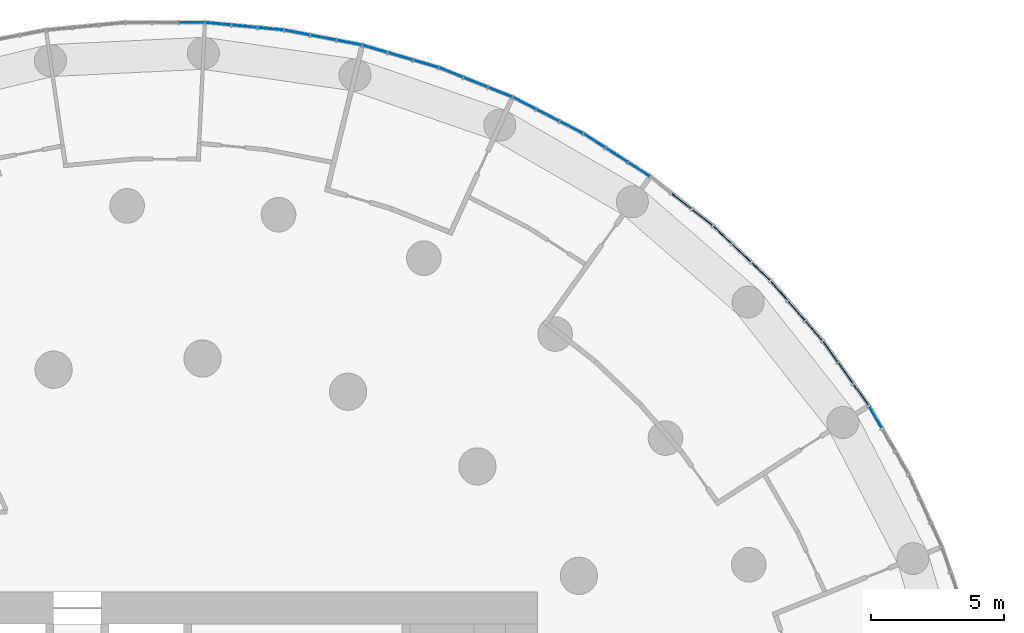
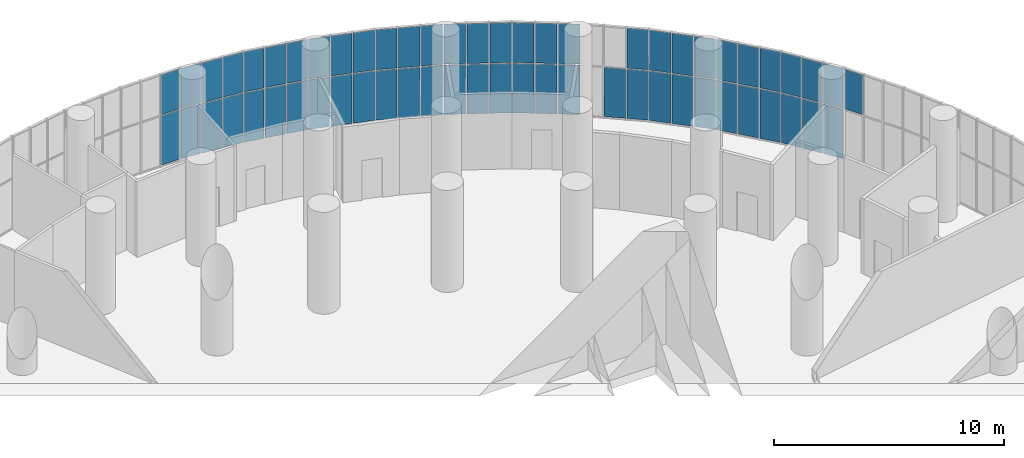
# One storey, part 19 of 27: 60 plates, 12 elements without a shape of their own.
"""IFC4 building model written with IfcOpenShell, lengths in metres."""

from ifc_helpers import new_model, si_unit, direction, frame, origin, origin_2d, place, context, subcontext, project, spatial, rectangle, extrude, material, layer, layer_set, type_object, element, aggregate, save


model = new_model("IFC4")

# Units and contexts
model_context = context("Model", 3, precision=1e-05, world=origin(), true_north=direction((0.0, 1.0)))
body_context = subcontext(model_context, "Body", "Model", "MODEL_VIEW")
ifc_project = project(units=[si_unit("LENGTHUNIT", "METRE"), si_unit("AREAUNIT", "SQUARE_METRE"), si_unit("VOLUMEUNIT", "CUBIC_METRE"), si_unit("PLANEANGLEUNIT", "RADIAN"), si_unit("MASSUNIT", "GRAM", prefix="KILO")], contexts=[model_context])

# Site, building, storey
site_placement = place(None, origin())
site = spatial("IfcSite", under=ifc_project, at=site_placement, CompositionType="ELEMENT")
building_placement = place(site_placement, origin())
building = spatial("IfcBuilding", under=site, at=building_placement, Name="Tracery Tower", CompositionType="ELEMENT")
storey_placement = place(building_placement, frame((0.0, 0.0, 114.60009765625)))
storey = spatial("IfcBuildingStorey", under=building, at=storey_placement, Name="L29", CompositionType="ELEMENT", Elevation=114.60009765625)

# Curtain wall, plate
ifc_material_1 = material(Name="Aluminium curtain wall with tinted glass", Category="aluminium")
ifc_layer_1 = layer(ifc_material_1, 0.179931640625)
ifc_layer_set_1 = layer_set([ifc_layer_1], Name="Sky lounge 1 tracery curtain wall")
curtain_wall_type = type_object("IfcCurtainWallType", Name="Sky lounge 1 tracery curtain wall", PredefinedType="NOTDEFINED", material=ifc_layer_set_1)
curtain_wall_1_placement = place(storey_placement, origin())
curtain_wall_1 = element("IfcCurtainWall", 1, at=curtain_wall_1_placement, inside=storey, type_object=curtain_wall_type, Name="Sky lounge 1 curtain wall run 6", PredefinedType="NOTDEFINED")
ifc_material_2 = material(Name="Tinted laminated glass", Category="glass")
ifc_layer_2 = layer(ifc_material_2, 0.031982421875)
ifc_layer_set_2 = layer_set([ifc_layer_2], Name="Sky lounge 1 glass panel 32")
plate_type = type_object("IfcPlateType", Name="Sky lounge 1 glass panel 32", PredefinedType="CURTAIN_PANEL", material=ifc_layer_set_2)
plate_1_placement = place(storey_placement, frame((26.693603515625, 16.56298828125, 2.72998046875), z_axis=(0.0, 0.0, 1.0), x_axis=(-0.5, 0.866025403784, 0.0)))
plate_1 = element("IfcPlate", 2, at=plate_1_placement, type_object=plate_type, Name="Sky lounge 1 curtain wall run 6 glass panel 6", PredefinedType="CURTAIN_PANEL", context=body_context, shape_type="SweptSolid", body=[
    extrude(rectangle(XDim=0.937255859375, YDim=0.031982421875, at=origin_2d()), origin(), (0.0, 0.0, 1.0), 2.110107421875),
])
aggregate(curtain_wall_1, [plate_1])

# Curtain wall, plates
curtain_wall_2_placement = place(storey_placement, origin())
curtain_wall_2 = element("IfcCurtainWall", 3, at=curtain_wall_2_placement, inside=storey, type_object=curtain_wall_type, Name="Sky lounge 1 curtain wall run 7", PredefinedType="NOTDEFINED")
plate_2_placement = place(storey_placement, frame((26.1552734375, 17.40087890625, 0.06005859375), z_axis=(0.0, 0.0, 1.0), x_axis=(-0.580056909578, 0.814575952046, 0.0)))
plate_2 = element("IfcPlate", 4, at=plate_2_placement, type_object=plate_type, Name="Sky lounge 1 curtain wall run 7 glass panel 1", PredefinedType="CURTAIN_PANEL", context=body_context, shape_type="SweptSolid", body=[
    extrude(rectangle(XDim=0.937255859375, YDim=0.031982421875, at=origin_2d()), origin(), (0.0, 0.0, 1.0), 2.610107421875),
])
plate_3_placement = place(storey_placement, frame((26.1552734375, 17.40087890625, 2.72998046875), z_axis=(0.0, 0.0, 1.0), x_axis=(-0.580056909578, 0.814575952046, 0.0)))
plate_3 = element("IfcPlate", 5, at=plate_3_placement, type_object=plate_type, Name="Sky lounge 1 curtain wall run 7 glass panel 2", PredefinedType="CURTAIN_PANEL", context=body_context, shape_type="SweptSolid", body=[
    extrude(rectangle(XDim=0.937255859375, YDim=0.031982421875, at=origin_2d()), origin(), (0.0, 0.0, 1.0), 2.110107421875),
])
plate_4_placement = place(storey_placement, frame((25.576904296875, 18.213134765625, 0.06005859375), z_axis=(0.0, 0.0, 1.0), x_axis=(-0.580056909578, 0.814575952046, 0.0)))
plate_4 = element("IfcPlate", 6, at=plate_4_placement, type_object=plate_type, Name="Sky lounge 1 curtain wall run 7 glass panel 3", PredefinedType="CURTAIN_PANEL", context=body_context, shape_type="SweptSolid", body=[
    extrude(rectangle(XDim=0.937255859375, YDim=0.031982421875, at=origin_2d()), origin(), (0.0, 0.0, 1.0), 2.610107421875),
])
plate_5_placement = place(storey_placement, frame((25.576904296875, 18.213134765625, 2.72998046875), z_axis=(0.0, 0.0, 1.0), x_axis=(-0.580056909578, 0.814575952046, 0.0)))
plate_5 = element("IfcPlate", 7, at=plate_5_placement, type_object=plate_type, Name="Sky lounge 1 curtain wall run 7 glass panel 4", PredefinedType="CURTAIN_PANEL", context=body_context, shape_type="SweptSolid", body=[
    extrude(rectangle(XDim=0.937255859375, YDim=0.031982421875, at=origin_2d()), origin(), (0.0, 0.0, 1.0), 2.110107421875),
])
plate_6_placement = place(storey_placement, frame((24.998291015625, 19.025390625, 0.06005859375), z_axis=(0.0, 0.0, 1.0), x_axis=(-0.580056909578, 0.814575952046, 0.0)))
plate_6 = element("IfcPlate", 8, at=plate_6_placement, type_object=plate_type, Name="Sky lounge 1 curtain wall run 7 glass panel 5", PredefinedType="CURTAIN_PANEL", context=body_context, shape_type="SweptSolid", body=[
    extrude(rectangle(XDim=0.937255859375, YDim=0.031982421875, at=origin_2d()), origin(), (0.0, 0.0, 1.0), 2.610107421875),
])
plate_7_placement = place(storey_placement, frame((24.998291015625, 19.025390625, 2.72998046875), z_axis=(0.0, 0.0, 1.0), x_axis=(-0.580056909578, 0.814575952046, 0.0)))
plate_7 = element("IfcPlate", 9, at=plate_7_placement, type_object=plate_type, Name="Sky lounge 1 curtain wall run 7 glass panel 6", PredefinedType="CURTAIN_PANEL", context=body_context, shape_type="SweptSolid", body=[
    extrude(rectangle(XDim=0.937255859375, YDim=0.031982421875, at=origin_2d()), origin(), (0.0, 0.0, 1.0), 2.110107421875),
])
aggregate(curtain_wall_2, [plate_2, plate_3, plate_4, plate_5, plate_6, plate_7])

curtain_wall_3_placement = place(storey_placement, origin())
curtain_wall_3 = element("IfcCurtainWall", 10, at=curtain_wall_3_placement, inside=storey, type_object=curtain_wall_type, Name="Sky lounge 1 curtain wall run 8", PredefinedType="NOTDEFINED")
plate_8_placement = place(storey_placement, frame((24.382568359375, 19.808349609375, 0.06005859375), z_axis=(0.0, 0.0, 1.0), x_axis=(-0.654860733944, 0.755749574355, 0.0)))
plate_8 = element("IfcPlate", 11, at=plate_8_placement, type_object=plate_type, Name="Sky lounge 1 curtain wall run 8 glass panel 1", PredefinedType="CURTAIN_PANEL", context=body_context, shape_type="SweptSolid", body=[
    extrude(rectangle(XDim=0.937255859375, YDim=0.031982421875, at=origin_2d()), origin(), (0.0, 0.0, 1.0), 2.610107421875),
])
plate_9_placement = place(storey_placement, frame((24.382568359375, 19.808349609375, 2.72998046875), z_axis=(0.0, 0.0, 1.0), x_axis=(-0.654860733944, 0.755749574355, 0.0)))
plate_9 = element("IfcPlate", 12, at=plate_9_placement, type_object=plate_type, Name="Sky lounge 1 curtain wall run 8 glass panel 2", PredefinedType="CURTAIN_PANEL", context=body_context, shape_type="SweptSolid", body=[
    extrude(rectangle(XDim=0.937255859375, YDim=0.031982421875, at=origin_2d()), origin(), (0.0, 0.0, 1.0), 2.110107421875),
])
plate_10_placement = place(storey_placement, frame((23.729736328125, 20.56201171875, 0.06005859375), z_axis=(0.0, 0.0, 1.0), x_axis=(-0.654860733944, 0.755749574355, 0.0)))
plate_10 = element("IfcPlate", 13, at=plate_10_placement, type_object=plate_type, Name="Sky lounge 1 curtain wall run 8 glass panel 3", PredefinedType="CURTAIN_PANEL", context=body_context, shape_type="SweptSolid", body=[
    extrude(rectangle(XDim=0.937255859375, YDim=0.031982421875, at=origin_2d()), origin(), (0.0, 0.0, 1.0), 2.610107421875),
])
plate_11_placement = place(storey_placement, frame((23.729736328125, 20.56201171875, 2.72998046875), z_axis=(0.0, 0.0, 1.0), x_axis=(-0.654860733944, 0.755749574355, 0.0)))
plate_11 = element("IfcPlate", 14, at=plate_11_placement, type_object=plate_type, Name="Sky lounge 1 curtain wall run 8 glass panel 4", PredefinedType="CURTAIN_PANEL", context=body_context, shape_type="SweptSolid", body=[
    extrude(rectangle(XDim=0.937255859375, YDim=0.031982421875, at=origin_2d()), origin(), (0.0, 0.0, 1.0), 2.110107421875),
])
plate_12_placement = place(storey_placement, frame((23.07666015625, 21.3154296875, 0.06005859375), z_axis=(0.0, 0.0, 1.0), x_axis=(-0.654860733944, 0.755749574355, 0.0)))
plate_12 = element("IfcPlate", 15, at=plate_12_placement, type_object=plate_type, Name="Sky lounge 1 curtain wall run 8 glass panel 5", PredefinedType="CURTAIN_PANEL", context=body_context, shape_type="SweptSolid", body=[
    extrude(rectangle(XDim=0.937255859375, YDim=0.031982421875, at=origin_2d()), origin(), (0.0, 0.0, 1.0), 2.610107421875),
])
plate_13_placement = place(storey_placement, frame((23.07666015625, 21.3154296875, 2.72998046875), z_axis=(0.0, 0.0, 1.0), x_axis=(-0.654860733944, 0.755749574355, 0.0)))
plate_13 = element("IfcPlate", 16, at=plate_13_placement, type_object=plate_type, Name="Sky lounge 1 curtain wall run 8 glass panel 6", PredefinedType="CURTAIN_PANEL", context=body_context, shape_type="SweptSolid", body=[
    extrude(rectangle(XDim=0.937255859375, YDim=0.031982421875, at=origin_2d()), origin(), (0.0, 0.0, 1.0), 2.110107421875),
])
aggregate(curtain_wall_3, [plate_8, plate_9, plate_10, plate_11, plate_12, plate_13])

curtain_wall_4_placement = place(storey_placement, origin())
curtain_wall_4 = element("IfcCurtainWall", 17, at=curtain_wall_4_placement, inside=storey, type_object=curtain_wall_type, Name="Sky lounge 1 curtain wall run 9", PredefinedType="NOTDEFINED")
plate_14_placement = place(storey_placement, frame((22.389404296875, 22.036376953125, 0.06005859375), z_axis=(0.0, 0.0, 1.0), x_axis=(-0.723734038109, 0.690079011478, 0.0)))
plate_14 = element("IfcPlate", 18, at=plate_14_placement, type_object=plate_type, Name="Sky lounge 1 curtain wall run 9 glass panel 1", PredefinedType="CURTAIN_PANEL", context=body_context, shape_type="SweptSolid", body=[
    extrude(rectangle(XDim=0.937255859375, YDim=0.031982421875, at=origin_2d()), origin(), (0.0, 0.0, 1.0), 2.610107421875),
])
plate_15_placement = place(storey_placement, frame((22.389404296875, 22.036376953125, 2.72998046875), z_axis=(0.0, 0.0, 1.0), x_axis=(-0.723734038109, 0.690079011478, 0.0)))
plate_15 = element("IfcPlate", 19, at=plate_15_placement, type_object=plate_type, Name="Sky lounge 1 curtain wall run 9 glass panel 2", PredefinedType="CURTAIN_PANEL", context=body_context, shape_type="SweptSolid", body=[
    extrude(rectangle(XDim=0.937255859375, YDim=0.031982421875, at=origin_2d()), origin(), (0.0, 0.0, 1.0), 2.110107421875),
])
plate_16_placement = place(storey_placement, frame((21.667724609375, 22.724365234375, 0.06005859375), z_axis=(0.0, 0.0, 1.0), x_axis=(-0.723734038109, 0.690079011478, 0.0)))
plate_16 = element("IfcPlate", 20, at=plate_16_placement, type_object=plate_type, Name="Sky lounge 1 curtain wall run 9 glass panel 3", PredefinedType="CURTAIN_PANEL", context=body_context, shape_type="SweptSolid", body=[
    extrude(rectangle(XDim=0.937255859375, YDim=0.031982421875, at=origin_2d()), origin(), (0.0, 0.0, 1.0), 2.610107421875),
])
plate_17_placement = place(storey_placement, frame((21.667724609375, 22.724365234375, 2.72998046875), z_axis=(0.0, 0.0, 1.0), x_axis=(-0.723734038109, 0.690079011478, 0.0)))
plate_17 = element("IfcPlate", 21, at=plate_17_placement, type_object=plate_type, Name="Sky lounge 1 curtain wall run 9 glass panel 4", PredefinedType="CURTAIN_PANEL", context=body_context, shape_type="SweptSolid", body=[
    extrude(rectangle(XDim=0.937255859375, YDim=0.031982421875, at=origin_2d()), origin(), (0.0, 0.0, 1.0), 2.110107421875),
])
plate_18_placement = place(storey_placement, frame((20.946044921875, 23.41259765625, 0.06005859375), z_axis=(0.0, 0.0, 1.0), x_axis=(-0.723734038109, 0.690079011478, 0.0)))
plate_18 = element("IfcPlate", 22, at=plate_18_placement, type_object=plate_type, Name="Sky lounge 1 curtain wall run 9 glass panel 5", PredefinedType="CURTAIN_PANEL", context=body_context, shape_type="SweptSolid", body=[
    extrude(rectangle(XDim=0.937255859375, YDim=0.031982421875, at=origin_2d()), origin(), (0.0, 0.0, 1.0), 2.610107421875),
])
plate_19_placement = place(storey_placement, frame((20.946044921875, 23.41259765625, 2.72998046875), z_axis=(0.0, 0.0, 1.0), x_axis=(-0.723734038109, 0.690079011478, 0.0)))
plate_19 = element("IfcPlate", 23, at=plate_19_placement, type_object=plate_type, Name="Sky lounge 1 curtain wall run 9 glass panel 6", PredefinedType="CURTAIN_PANEL", context=body_context, shape_type="SweptSolid", body=[
    extrude(rectangle(XDim=0.937255859375, YDim=0.031982421875, at=origin_2d()), origin(), (0.0, 0.0, 1.0), 2.110107421875),
])
aggregate(curtain_wall_4, [plate_14, plate_15, plate_16, plate_17, plate_18, plate_19])

curtain_wall_5_placement = place(storey_placement, origin())
curtain_wall_5 = element("IfcCurtainWall", 24, at=curtain_wall_5_placement, inside=storey, type_object=curtain_wall_type, Name="Sky lounge 1 curtain wall run 10", PredefinedType="NOTDEFINED")
plate_20_placement = place(storey_placement, frame((20.193359375, 24.064697265625, 0.06005859375), z_axis=(0.0, 0.0, 1.0), x_axis=(-0.786053094741, 0.618158986223, 0.0)))
plate_20 = element("IfcPlate", 25, at=plate_20_placement, type_object=plate_type, Name="Sky lounge 1 curtain wall run 10 glass panel 1", PredefinedType="CURTAIN_PANEL", context=body_context, shape_type="SweptSolid", body=[
    extrude(rectangle(XDim=0.937255859375, YDim=0.031982421875, at=origin_2d()), origin(), (0.0, 0.0, 1.0), 2.610107421875),
])
plate_21_placement = place(storey_placement, frame((20.193359375, 24.064697265625, 2.72998046875), z_axis=(0.0, 0.0, 1.0), x_axis=(-0.786053094741, 0.618158986223, 0.0)))
plate_21 = element("IfcPlate", 26, at=plate_21_placement, type_object=plate_type, Name="Sky lounge 1 curtain wall run 10 glass panel 2", PredefinedType="CURTAIN_PANEL", context=body_context, shape_type="SweptSolid", body=[
    extrude(rectangle(XDim=0.937255859375, YDim=0.031982421875, at=origin_2d()), origin(), (0.0, 0.0, 1.0), 2.110107421875),
])
plate_22_placement = place(storey_placement, frame((19.409423828125, 24.68115234375, 0.06005859375), z_axis=(0.0, 0.0, 1.0), x_axis=(-0.786053094741, 0.618158986223, 0.0)))
plate_22 = element("IfcPlate", 27, at=plate_22_placement, type_object=plate_type, Name="Sky lounge 1 curtain wall run 10 glass panel 3", PredefinedType="CURTAIN_PANEL", context=body_context, shape_type="SweptSolid", body=[
    extrude(rectangle(XDim=0.937255859375, YDim=0.031982421875, at=origin_2d()), origin(), (0.0, 0.0, 1.0), 2.610107421875),
])
aggregate(curtain_wall_5, [plate_20, plate_21, plate_22])

curtain_wall_6_placement = place(storey_placement, origin())
curtain_wall_6 = element("IfcCurtainWall", 28, at=curtain_wall_6_placement, inside=storey, type_object=curtain_wall_type, Name="Sky lounge 1 curtain wall run 11", PredefinedType="NOTDEFINED")
plate_23_placement = place(storey_placement, frame((17.814453125, 25.875244140625, 0.06005859375), z_axis=(0.0, 0.0, 1.0), x_axis=(-0.841253532834, 0.540640817452, 0.0)))
plate_23 = element("IfcPlate", 29, at=plate_23_placement, type_object=plate_type, Name="Sky lounge 1 curtain wall run 11 glass panel 1", PredefinedType="CURTAIN_PANEL", context=body_context, shape_type="SweptSolid", body=[
    extrude(rectangle(XDim=0.937255859375, YDim=0.031982421875, at=origin_2d()), origin(), (0.0, 0.0, 1.0), 2.610107421875),
])
plate_24_placement = place(storey_placement, frame((17.814453125, 25.875244140625, 2.72998046875), z_axis=(0.0, 0.0, 1.0), x_axis=(-0.841253532834, 0.540640817452, 0.0)))
plate_24 = element("IfcPlate", 30, at=plate_24_placement, type_object=plate_type, Name="Sky lounge 1 curtain wall run 11 glass panel 2", PredefinedType="CURTAIN_PANEL", context=body_context, shape_type="SweptSolid", body=[
    extrude(rectangle(XDim=0.937255859375, YDim=0.031982421875, at=origin_2d()), origin(), (0.0, 0.0, 1.0), 2.110107421875),
])
plate_25_placement = place(storey_placement, frame((16.9755859375, 26.41455078125, 0.06005859375), z_axis=(0.0, 0.0, 1.0), x_axis=(-0.841253532834, 0.540640817452, 0.0)))
plate_25 = element("IfcPlate", 31, at=plate_25_placement, type_object=plate_type, Name="Sky lounge 1 curtain wall run 11 glass panel 3", PredefinedType="CURTAIN_PANEL", context=body_context, shape_type="SweptSolid", body=[
    extrude(rectangle(XDim=0.937255859375, YDim=0.031982421875, at=origin_2d()), origin(), (0.0, 0.0, 1.0), 2.610107421875),
])
plate_26_placement = place(storey_placement, frame((16.9755859375, 26.41455078125, 2.72998046875), z_axis=(0.0, 0.0, 1.0), x_axis=(-0.841253532834, 0.540640817452, 0.0)))
plate_26 = element("IfcPlate", 32, at=plate_26_placement, type_object=plate_type, Name="Sky lounge 1 curtain wall run 11 glass panel 4", PredefinedType="CURTAIN_PANEL", context=body_context, shape_type="SweptSolid", body=[
    extrude(rectangle(XDim=0.937255859375, YDim=0.031982421875, at=origin_2d()), origin(), (0.0, 0.0, 1.0), 2.110107421875),
])
plate_27_placement = place(storey_placement, frame((16.13671875, 26.95361328125, 0.06005859375), z_axis=(0.0, 0.0, 1.0), x_axis=(-0.841253532834, 0.540640817452, 0.0)))
plate_27 = element("IfcPlate", 33, at=plate_27_placement, type_object=plate_type, Name="Sky lounge 1 curtain wall run 11 glass panel 5", PredefinedType="CURTAIN_PANEL", context=body_context, shape_type="SweptSolid", body=[
    extrude(rectangle(XDim=0.937255859375, YDim=0.031982421875, at=origin_2d()), origin(), (0.0, 0.0, 1.0), 2.610107421875),
])
plate_28_placement = place(storey_placement, frame((16.13671875, 26.95361328125, 2.72998046875), z_axis=(0.0, 0.0, 1.0), x_axis=(-0.841253532834, 0.540640817452, 0.0)))
plate_28 = element("IfcPlate", 34, at=plate_28_placement, type_object=plate_type, Name="Sky lounge 1 curtain wall run 11 glass panel 6", PredefinedType="CURTAIN_PANEL", context=body_context, shape_type="SweptSolid", body=[
    extrude(rectangle(XDim=0.937255859375, YDim=0.031982421875, at=origin_2d()), origin(), (0.0, 0.0, 1.0), 2.110107421875),
])
aggregate(curtain_wall_6, [plate_23, plate_24, plate_25, plate_26, plate_27, plate_28])

curtain_wall_7_placement = place(storey_placement, origin())
curtain_wall_7 = element("IfcCurtainWall", 35, at=curtain_wall_7_placement, inside=storey, type_object=curtain_wall_type, Name="Sky lounge 1 curtain wall run 12", PredefinedType="NOTDEFINED")
plate_29_placement = place(storey_placement, frame((15.274169921875, 27.451416015625, 0.06005859375), z_axis=(0.0, 0.0, 1.0), x_axis=(-0.888835448653, 0.458226521732, 0.0)))
plate_29 = element("IfcPlate", 36, at=plate_29_placement, type_object=plate_type, Name="Sky lounge 1 curtain wall run 12 glass panel 1", PredefinedType="CURTAIN_PANEL", context=body_context, shape_type="SweptSolid", body=[
    extrude(rectangle(XDim=0.937255859375, YDim=0.031982421875, at=origin_2d()), origin(), (0.0, 0.0, 1.0), 2.610107421875),
])
plate_30_placement = place(storey_placement, frame((15.274169921875, 27.451416015625, 2.72998046875), z_axis=(0.0, 0.0, 1.0), x_axis=(-0.888835448653, 0.458226521732, 0.0)))
plate_30 = element("IfcPlate", 37, at=plate_30_placement, type_object=plate_type, Name="Sky lounge 1 curtain wall run 12 glass panel 2", PredefinedType="CURTAIN_PANEL", context=body_context, shape_type="SweptSolid", body=[
    extrude(rectangle(XDim=0.937255859375, YDim=0.031982421875, at=origin_2d()), origin(), (0.0, 0.0, 1.0), 2.110107421875),
])
plate_31_placement = place(storey_placement, frame((14.3876953125, 27.908447265625, 0.06005859375), z_axis=(0.0, 0.0, 1.0), x_axis=(-0.888835448653, 0.458226521732, 0.0)))
plate_31 = element("IfcPlate", 38, at=plate_31_placement, type_object=plate_type, Name="Sky lounge 1 curtain wall run 12 glass panel 3", PredefinedType="CURTAIN_PANEL", context=body_context, shape_type="SweptSolid", body=[
    extrude(rectangle(XDim=0.937255859375, YDim=0.031982421875, at=origin_2d()), origin(), (0.0, 0.0, 1.0), 2.610107421875),
])
plate_32_placement = place(storey_placement, frame((14.3876953125, 27.908447265625, 2.72998046875), z_axis=(0.0, 0.0, 1.0), x_axis=(-0.888835448653, 0.458226521732, 0.0)))
plate_32 = element("IfcPlate", 39, at=plate_32_placement, type_object=plate_type, Name="Sky lounge 1 curtain wall run 12 glass panel 4", PredefinedType="CURTAIN_PANEL", context=body_context, shape_type="SweptSolid", body=[
    extrude(rectangle(XDim=0.937255859375, YDim=0.031982421875, at=origin_2d()), origin(), (0.0, 0.0, 1.0), 2.110107421875),
])
plate_33_placement = place(storey_placement, frame((13.50146484375, 28.365478515625, 0.06005859375), z_axis=(0.0, 0.0, 1.0), x_axis=(-0.888835448653, 0.458226521732, 0.0)))
plate_33 = element("IfcPlate", 40, at=plate_33_placement, type_object=plate_type, Name="Sky lounge 1 curtain wall run 12 glass panel 5", PredefinedType="CURTAIN_PANEL", context=body_context, shape_type="SweptSolid", body=[
    extrude(rectangle(XDim=0.937255859375, YDim=0.031982421875, at=origin_2d()), origin(), (0.0, 0.0, 1.0), 2.610107421875),
])
plate_34_placement = place(storey_placement, frame((13.50146484375, 28.365478515625, 2.72998046875), z_axis=(0.0, 0.0, 1.0), x_axis=(-0.888835448653, 0.458226521732, 0.0)))
plate_34 = element("IfcPlate", 41, at=plate_34_placement, type_object=plate_type, Name="Sky lounge 1 curtain wall run 12 glass panel 6", PredefinedType="CURTAIN_PANEL", context=body_context, shape_type="SweptSolid", body=[
    extrude(rectangle(XDim=0.937255859375, YDim=0.031982421875, at=origin_2d()), origin(), (0.0, 0.0, 1.0), 2.110107421875),
])
aggregate(curtain_wall_7, [plate_29, plate_30, plate_31, plate_32, plate_33, plate_34])

curtain_wall_8_placement = place(storey_placement, origin())
curtain_wall_8 = element("IfcCurtainWall", 42, at=curtain_wall_8_placement, inside=storey, type_object=curtain_wall_type, Name="Sky lounge 1 curtain wall run 13", PredefinedType="NOTDEFINED")
plate_35_placement = place(storey_placement, frame((12.595458984375, 28.779052734375, 0.06005859375), z_axis=(0.0, 0.0, 1.0), x_axis=(-0.928367933017, 0.371662455657, 0.0)))
plate_35 = element("IfcPlate", 43, at=plate_35_placement, type_object=plate_type, Name="Sky lounge 1 curtain wall run 13 glass panel 1", PredefinedType="CURTAIN_PANEL", context=body_context, shape_type="SweptSolid", body=[
    extrude(rectangle(XDim=0.937255859375, YDim=0.031982421875, at=origin_2d()), origin(), (0.0, 0.0, 1.0), 2.610107421875),
])
plate_36_placement = place(storey_placement, frame((12.595458984375, 28.779052734375, 2.72998046875), z_axis=(0.0, 0.0, 1.0), x_axis=(-0.928367933017, 0.371662455657, 0.0)))
plate_36 = element("IfcPlate", 44, at=plate_36_placement, type_object=plate_type, Name="Sky lounge 1 curtain wall run 13 glass panel 2", PredefinedType="CURTAIN_PANEL", context=body_context, shape_type="SweptSolid", body=[
    extrude(rectangle(XDim=0.937255859375, YDim=0.031982421875, at=origin_2d()), origin(), (0.0, 0.0, 1.0), 2.110107421875),
])
plate_37_placement = place(storey_placement, frame((11.669677734375, 29.149658203125, 0.06005859375), z_axis=(0.0, 0.0, 1.0), x_axis=(-0.928367933017, 0.371662455657, 0.0)))
plate_37 = element("IfcPlate", 45, at=plate_37_placement, type_object=plate_type, Name="Sky lounge 1 curtain wall run 13 glass panel 3", PredefinedType="CURTAIN_PANEL", context=body_context, shape_type="SweptSolid", body=[
    extrude(rectangle(XDim=0.937255859375, YDim=0.031982421875, at=origin_2d()), origin(), (0.0, 0.0, 1.0), 2.610107421875),
])
plate_38_placement = place(storey_placement, frame((11.669677734375, 29.149658203125, 2.72998046875), z_axis=(0.0, 0.0, 1.0), x_axis=(-0.928367933017, 0.371662455657, 0.0)))
plate_38 = element("IfcPlate", 46, at=plate_38_placement, type_object=plate_type, Name="Sky lounge 1 curtain wall run 13 glass panel 4", PredefinedType="CURTAIN_PANEL", context=body_context, shape_type="SweptSolid", body=[
    extrude(rectangle(XDim=0.937255859375, YDim=0.031982421875, at=origin_2d()), origin(), (0.0, 0.0, 1.0), 2.110107421875),
])
plate_39_placement = place(storey_placement, frame((10.744140625, 29.520263671875, 0.06005859375), z_axis=(0.0, 0.0, 1.0), x_axis=(-0.928367933017, 0.371662455657, 0.0)))
plate_39 = element("IfcPlate", 47, at=plate_39_placement, type_object=plate_type, Name="Sky lounge 1 curtain wall run 13 glass panel 5", PredefinedType="CURTAIN_PANEL", context=body_context, shape_type="SweptSolid", body=[
    extrude(rectangle(XDim=0.937255859375, YDim=0.031982421875, at=origin_2d()), origin(), (0.0, 0.0, 1.0), 2.610107421875),
])
plate_40_placement = place(storey_placement, frame((10.744140625, 29.520263671875, 2.72998046875), z_axis=(0.0, 0.0, 1.0), x_axis=(-0.928367933017, 0.371662455657, 0.0)))
plate_40 = element("IfcPlate", 48, at=plate_40_placement, type_object=plate_type, Name="Sky lounge 1 curtain wall run 13 glass panel 6", PredefinedType="CURTAIN_PANEL", context=body_context, shape_type="SweptSolid", body=[
    extrude(rectangle(XDim=0.937255859375, YDim=0.031982421875, at=origin_2d()), origin(), (0.0, 0.0, 1.0), 2.110107421875),
])
aggregate(curtain_wall_8, [plate_35, plate_36, plate_37, plate_38, plate_39, plate_40])

curtain_wall_9_placement = place(storey_placement, origin())
curtain_wall_9 = element("IfcCurtainWall", 49, at=curtain_wall_9_placement, inside=storey, type_object=curtain_wall_type, Name="Sky lounge 1 curtain wall run 14", PredefinedType="NOTDEFINED")
plate_41_placement = place(storey_placement, frame((9.802734375, 29.84619140625, 0.06005859375), z_axis=(0.0, 0.0, 1.0), x_axis=(-0.959492973613, 0.281732556848, 0.0)))
plate_41 = element("IfcPlate", 50, at=plate_41_placement, type_object=plate_type, Name="Sky lounge 1 curtain wall run 14 glass panel 1", PredefinedType="CURTAIN_PANEL", context=body_context, shape_type="SweptSolid", body=[
    extrude(rectangle(XDim=0.937255859375, YDim=0.031982421875, at=origin_2d()), origin(), (0.0, 0.0, 1.0), 2.610107421875),
])
plate_42_placement = place(storey_placement, frame((9.802734375, 29.84619140625, 2.72998046875), z_axis=(0.0, 0.0, 1.0), x_axis=(-0.959492973613, 0.281732556848, 0.0)))
plate_42 = element("IfcPlate", 51, at=plate_42_placement, type_object=plate_type, Name="Sky lounge 1 curtain wall run 14 glass panel 2", PredefinedType="CURTAIN_PANEL", context=body_context, shape_type="SweptSolid", body=[
    extrude(rectangle(XDim=0.937255859375, YDim=0.031982421875, at=origin_2d()), origin(), (0.0, 0.0, 1.0), 2.110107421875),
])
plate_43_placement = place(storey_placement, frame((8.84619140625, 30.126953125, 0.06005859375), z_axis=(0.0, 0.0, 1.0), x_axis=(-0.959492973613, 0.281732556848, 0.0)))
plate_43 = element("IfcPlate", 52, at=plate_43_placement, type_object=plate_type, Name="Sky lounge 1 curtain wall run 14 glass panel 3", PredefinedType="CURTAIN_PANEL", context=body_context, shape_type="SweptSolid", body=[
    extrude(rectangle(XDim=0.937255859375, YDim=0.031982421875, at=origin_2d()), origin(), (0.0, 0.0, 1.0), 2.610107421875),
])
plate_44_placement = place(storey_placement, frame((8.84619140625, 30.126953125, 2.72998046875), z_axis=(0.0, 0.0, 1.0), x_axis=(-0.959492973613, 0.281732556848, 0.0)))
plate_44 = element("IfcPlate", 53, at=plate_44_placement, type_object=plate_type, Name="Sky lounge 1 curtain wall run 14 glass panel 4", PredefinedType="CURTAIN_PANEL", context=body_context, shape_type="SweptSolid", body=[
    extrude(rectangle(XDim=0.937255859375, YDim=0.031982421875, at=origin_2d()), origin(), (0.0, 0.0, 1.0), 2.110107421875),
])
plate_45_placement = place(storey_placement, frame((7.889404296875, 30.407958984375, 0.06005859375), z_axis=(0.0, 0.0, 1.0), x_axis=(-0.959492973613, 0.281732556848, 0.0)))
plate_45 = element("IfcPlate", 54, at=plate_45_placement, type_object=plate_type, Name="Sky lounge 1 curtain wall run 14 glass panel 5", PredefinedType="CURTAIN_PANEL", context=body_context, shape_type="SweptSolid", body=[
    extrude(rectangle(XDim=0.937255859375, YDim=0.031982421875, at=origin_2d()), origin(), (0.0, 0.0, 1.0), 2.610107421875),
])
plate_46_placement = place(storey_placement, frame((7.889404296875, 30.407958984375, 2.72998046875), z_axis=(0.0, 0.0, 1.0), x_axis=(-0.959492973613, 0.281732556848, 0.0)))
plate_46 = element("IfcPlate", 55, at=plate_46_placement, type_object=plate_type, Name="Sky lounge 1 curtain wall run 14 glass panel 6", PredefinedType="CURTAIN_PANEL", context=body_context, shape_type="SweptSolid", body=[
    extrude(rectangle(XDim=0.937255859375, YDim=0.031982421875, at=origin_2d()), origin(), (0.0, 0.0, 1.0), 2.110107421875),
])
aggregate(curtain_wall_9, [plate_41, plate_42, plate_43, plate_44, plate_45, plate_46])

curtain_wall_10_placement = place(storey_placement, origin())
curtain_wall_10 = element("IfcCurtainWall", 56, at=curtain_wall_10_placement, inside=storey, type_object=curtain_wall_type, Name="Sky lounge 1 curtain wall run 15", PredefinedType="NOTDEFINED")
plate_47_placement = place(storey_placement, frame((6.92138671875, 30.642822265625, 0.06005859375), z_axis=(0.0, 0.0, 1.0), x_axis=(-0.981928697263, 0.189251244359, 0.0)))
plate_47 = element("IfcPlate", 57, at=plate_47_placement, type_object=plate_type, Name="Sky lounge 1 curtain wall run 15 glass panel 1", PredefinedType="CURTAIN_PANEL", context=body_context, shape_type="SweptSolid", body=[
    extrude(rectangle(XDim=0.937255859375, YDim=0.031982421875, at=origin_2d()), origin(), (0.0, 0.0, 1.0), 2.610107421875),
])
plate_48_placement = place(storey_placement, frame((6.92138671875, 30.642822265625, 2.72998046875), z_axis=(0.0, 0.0, 1.0), x_axis=(-0.981928697263, 0.189251244359, 0.0)))
plate_48 = element("IfcPlate", 58, at=plate_48_placement, type_object=plate_type, Name="Sky lounge 1 curtain wall run 15 glass panel 2", PredefinedType="CURTAIN_PANEL", context=body_context, shape_type="SweptSolid", body=[
    extrude(rectangle(XDim=0.937255859375, YDim=0.031982421875, at=origin_2d()), origin(), (0.0, 0.0, 1.0), 2.110107421875),
])
plate_49_placement = place(storey_placement, frame((5.9423828125, 30.83154296875, 0.06005859375), z_axis=(0.0, 0.0, 1.0), x_axis=(-0.981928697263, 0.189251244359, 0.0)))
plate_49 = element("IfcPlate", 59, at=plate_49_placement, type_object=plate_type, Name="Sky lounge 1 curtain wall run 15 glass panel 3", PredefinedType="CURTAIN_PANEL", context=body_context, shape_type="SweptSolid", body=[
    extrude(rectangle(XDim=0.937255859375, YDim=0.031982421875, at=origin_2d()), origin(), (0.0, 0.0, 1.0), 2.610107421875),
])
plate_50_placement = place(storey_placement, frame((5.9423828125, 30.83154296875, 2.72998046875), z_axis=(0.0, 0.0, 1.0), x_axis=(-0.981928697263, 0.189251244359, 0.0)))
plate_50 = element("IfcPlate", 60, at=plate_50_placement, type_object=plate_type, Name="Sky lounge 1 curtain wall run 15 glass panel 4", PredefinedType="CURTAIN_PANEL", context=body_context, shape_type="SweptSolid", body=[
    extrude(rectangle(XDim=0.937255859375, YDim=0.031982421875, at=origin_2d()), origin(), (0.0, 0.0, 1.0), 2.110107421875),
])
plate_51_placement = place(storey_placement, frame((4.963134765625, 31.020263671875, 0.06005859375), z_axis=(0.0, 0.0, 1.0), x_axis=(-0.981928697263, 0.189251244359, 0.0)))
plate_51 = element("IfcPlate", 61, at=plate_51_placement, type_object=plate_type, Name="Sky lounge 1 curtain wall run 15 glass panel 5", PredefinedType="CURTAIN_PANEL", context=body_context, shape_type="SweptSolid", body=[
    extrude(rectangle(XDim=0.937255859375, YDim=0.031982421875, at=origin_2d()), origin(), (0.0, 0.0, 1.0), 2.610107421875),
])
plate_52_placement = place(storey_placement, frame((4.963134765625, 31.020263671875, 2.72998046875), z_axis=(0.0, 0.0, 1.0), x_axis=(-0.981928697263, 0.189251244359, 0.0)))
plate_52 = element("IfcPlate", 62, at=plate_52_placement, type_object=plate_type, Name="Sky lounge 1 curtain wall run 15 glass panel 6", PredefinedType="CURTAIN_PANEL", context=body_context, shape_type="SweptSolid", body=[
    extrude(rectangle(XDim=0.937255859375, YDim=0.031982421875, at=origin_2d()), origin(), (0.0, 0.0, 1.0), 2.110107421875),
])
aggregate(curtain_wall_10, [plate_47, plate_48, plate_49, plate_50, plate_51, plate_52])

curtain_wall_11_placement = place(storey_placement, origin())
curtain_wall_11 = element("IfcCurtainWall", 63, at=curtain_wall_11_placement, inside=storey, type_object=curtain_wall_type, Name="Sky lounge 1 curtain wall run 16", PredefinedType="NOTDEFINED")
plate_53_placement = place(storey_placement, frame((3.977294921875, 31.161865234375, 0.06005859375), z_axis=(0.0, 0.0, 1.0), x_axis=(-0.995471922572, 0.095056043312, 0.0)))
plate_53 = element("IfcPlate", 64, at=plate_53_placement, type_object=plate_type, Name="Sky lounge 1 curtain wall run 16 glass panel 1", PredefinedType="CURTAIN_PANEL", context=body_context, shape_type="SweptSolid", body=[
    extrude(rectangle(XDim=0.937255859375, YDim=0.031982421875, at=origin_2d()), origin(), (0.0, 0.0, 1.0), 2.610107421875),
])
plate_54_placement = place(storey_placement, frame((3.977294921875, 31.161865234375, 2.72998046875), z_axis=(0.0, 0.0, 1.0), x_axis=(-0.995471922572, 0.095056043312, 0.0)))
plate_54 = element("IfcPlate", 65, at=plate_54_placement, type_object=plate_type, Name="Sky lounge 1 curtain wall run 16 glass panel 2", PredefinedType="CURTAIN_PANEL", context=body_context, shape_type="SweptSolid", body=[
    extrude(rectangle(XDim=0.937255859375, YDim=0.031982421875, at=origin_2d()), origin(), (0.0, 0.0, 1.0), 2.110107421875),
])
plate_55_placement = place(storey_placement, frame((2.984619140625, 31.2568359375, 0.06005859375), z_axis=(0.0, 0.0, 1.0), x_axis=(-0.995471922572, 0.095056043312, 0.0)))
plate_55 = element("IfcPlate", 66, at=plate_55_placement, type_object=plate_type, Name="Sky lounge 1 curtain wall run 16 glass panel 3", PredefinedType="CURTAIN_PANEL", context=body_context, shape_type="SweptSolid", body=[
    extrude(rectangle(XDim=0.937255859375, YDim=0.031982421875, at=origin_2d()), origin(), (0.0, 0.0, 1.0), 2.610107421875),
])
plate_56_placement = place(storey_placement, frame((2.984619140625, 31.2568359375, 2.72998046875), z_axis=(0.0, 0.0, 1.0), x_axis=(-0.995471922572, 0.095056043312, 0.0)))
plate_56 = element("IfcPlate", 67, at=plate_56_placement, type_object=plate_type, Name="Sky lounge 1 curtain wall run 16 glass panel 4", PredefinedType="CURTAIN_PANEL", context=body_context, shape_type="SweptSolid", body=[
    extrude(rectangle(XDim=0.937255859375, YDim=0.031982421875, at=origin_2d()), origin(), (0.0, 0.0, 1.0), 2.110107421875),
])
plate_57_placement = place(storey_placement, frame((1.991943359375, 31.3515625, 0.06005859375), z_axis=(0.0, 0.0, 1.0), x_axis=(-0.995471922572, 0.095056043312, 0.0)))
plate_57 = element("IfcPlate", 68, at=plate_57_placement, type_object=plate_type, Name="Sky lounge 1 curtain wall run 16 glass panel 5", PredefinedType="CURTAIN_PANEL", context=body_context, shape_type="SweptSolid", body=[
    extrude(rectangle(XDim=0.937255859375, YDim=0.031982421875, at=origin_2d()), origin(), (0.0, 0.0, 1.0), 2.610107421875),
])
plate_58_placement = place(storey_placement, frame((1.991943359375, 31.3515625, 2.72998046875), z_axis=(0.0, 0.0, 1.0), x_axis=(-0.995471922572, 0.095056043312, 0.0)))
plate_58 = element("IfcPlate", 69, at=plate_58_placement, type_object=plate_type, Name="Sky lounge 1 curtain wall run 16 glass panel 6", PredefinedType="CURTAIN_PANEL", context=body_context, shape_type="SweptSolid", body=[
    extrude(rectangle(XDim=0.937255859375, YDim=0.031982421875, at=origin_2d()), origin(), (0.0, 0.0, 1.0), 2.110107421875),
])
aggregate(curtain_wall_11, [plate_53, plate_54, plate_55, plate_56, plate_57, plate_58])

curtain_wall_12_placement = place(storey_placement, origin())
curtain_wall_12 = element("IfcCurtainWall", 70, at=curtain_wall_12_placement, inside=storey, type_object=curtain_wall_type, Name="Sky lounge 1 curtain wall run 17", PredefinedType="NOTDEFINED")
plate_59_placement = place(storey_placement, frame((0.9970703125, 31.39892578125, 0.06005859375), z_axis=(0.0, 0.0, 1.0), x_axis=(-1.0, 0.0, 0.0)))
plate_59 = element("IfcPlate", 71, at=plate_59_placement, type_object=plate_type, Name="Sky lounge 1 curtain wall run 17 glass panel 1", PredefinedType="CURTAIN_PANEL", context=body_context, shape_type="SweptSolid", body=[
    extrude(rectangle(XDim=0.937255859375, YDim=0.031982421875, at=origin_2d()), origin(), (0.0, 0.0, 1.0), 2.610107421875),
])
plate_60_placement = place(storey_placement, frame((0.9970703125, 31.39892578125, 2.72998046875), z_axis=(0.0, 0.0, 1.0), x_axis=(-1.0, 0.0, 0.0)))
plate_60 = element("IfcPlate", 72, at=plate_60_placement, type_object=plate_type, Name="Sky lounge 1 curtain wall run 17 glass panel 2", PredefinedType="CURTAIN_PANEL", context=body_context, shape_type="SweptSolid", body=[
    extrude(rectangle(XDim=0.937255859375, YDim=0.031982421875, at=origin_2d()), origin(), (0.0, 0.0, 1.0), 2.110107421875),
])
aggregate(curtain_wall_12, [plate_59, plate_60])

save(model, "model.ifc")
